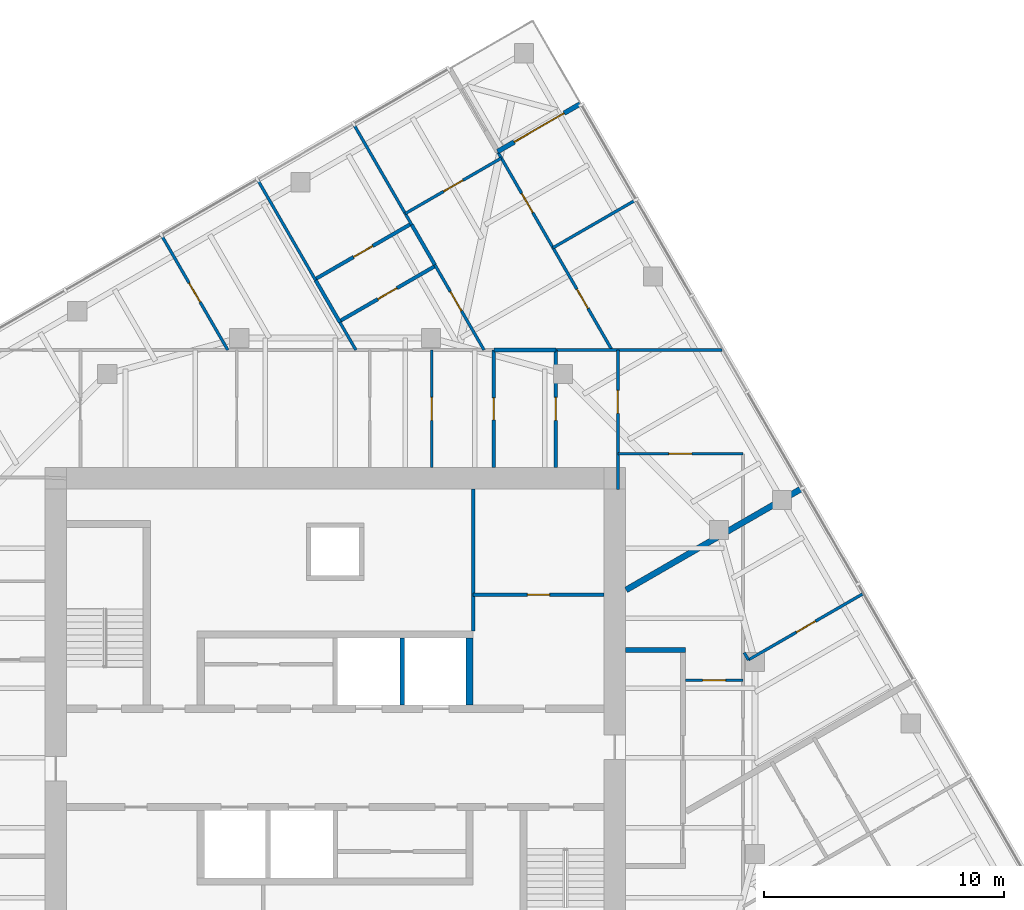
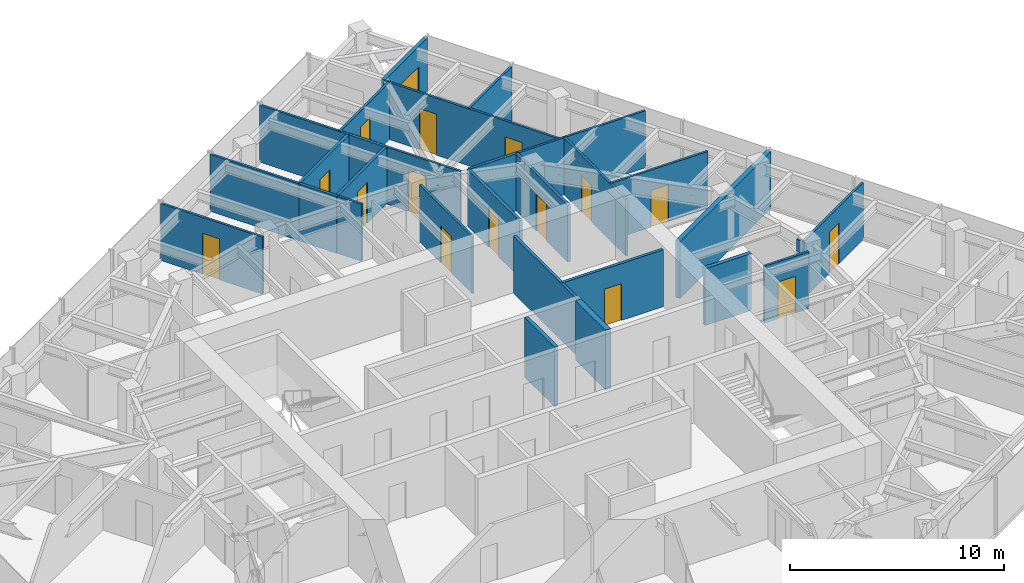
# One storey, part 11 of 13: 29 walls, 16 doors, 16 openings.
"""IFC4 building model written with IfcOpenShell, lengths in metres."""

from ifc_helpers import new_model, si_unit, direction, frame, frame_2d, origin, place, context, subcontext, project, spatial, rectangle, extrude, material, layer, layer_set, type_object, element, fill, save


model = new_model("IFC4")

# Units and contexts
model_context = context("Model", 3, precision=1e-05, world=origin(), true_north=direction((0.0, 1.0)))
body_context = subcontext(model_context, "Body", "Model", "MODEL_VIEW")
ifc_project = project(units=[si_unit("LENGTHUNIT", "METRE"), si_unit("AREAUNIT", "SQUARE_METRE"), si_unit("VOLUMEUNIT", "CUBIC_METRE"), si_unit("PLANEANGLEUNIT", "RADIAN"), si_unit("MASSUNIT", "GRAM", prefix="KILO")], contexts=[model_context])

# Site, building, storey
site_placement = place(None, origin())
site = spatial("IfcSite", under=ifc_project, at=site_placement, CompositionType="ELEMENT")
building_placement = place(site_placement, origin())
building = spatial("IfcBuilding", under=site, at=building_placement, Name="Torsade Residences", CompositionType="ELEMENT")
storey_placement = place(building_placement, frame((0.0, 0.0, 215.0)))
storey = spatial("IfcBuildingStorey", under=building, at=storey_placement, Name="L59", CompositionType="ELEMENT", Elevation=215.0)

# Walls
ifc_material_1 = material(Name="Concrete 80 MPa", Category="concrete")
ifc_layer_1 = layer(ifc_material_1, 0.300048828125)
ifc_layer_set_1 = layer_set([ifc_layer_1], Name="Concrete 80 MPa")
wall_type_1 = type_object("IfcWallType", Name="CORE INTERNAL WALL 300", PredefinedType="SHEAR", material=ifc_layer_set_1)
wall_1_placement = place(storey_placement, frame((45.60009765625, 32.199951171875, 0.0), z_axis=(0.0, 0.0, 1.0), x_axis=(0.0, 1.0, 0.0)))
element("IfcWall", 1, at=wall_1_placement, inside=storey, type_object=wall_type_1, Name="Core wall DN4 L59", PredefinedType="SHEAR", context=body_context, shape_type="SweptSolid", body=[
    extrude(rectangle(XDim=2.800048828125, YDim=0.300048828125, at=frame_2d((1.39990234375, 0.0))), origin(), (0.0, 0.0, 1.0), 3.39990234375),
])
ifc_material_2 = material(Name="Plasterboard on steel stud", Category="steel")
ifc_layer_2 = layer(ifc_material_2, 0.199951171875)
ifc_layer_set_2 = layer_set([ifc_layer_2], Name="Plasterboard on steel stud")
wall_type_2 = type_object("IfcWallType", Name="CORRIDOR WALL 200", PredefinedType="PARTITIONING", material=ifc_layer_set_2)
wall_2_placement = place(storey_placement, frame((52.10009765625, 34.5, 0.0), z_axis=(0.0, 0.0, 1.0), x_axis=(1.0, 0.0, 0.0)))
element("IfcWall", 2, at=wall_2_placement, inside=storey, type_object=wall_type_2, Name="Corridor wall L59", PredefinedType="PARTITIONING", context=body_context, shape_type="SweptSolid", body=[
    extrude(rectangle(XDim=2.5, YDim=0.199951171875, at=frame_2d((1.25, 0.0))), origin(), (0.0, 0.0, 1.0), 3.25),
])
ifc_material_3 = material(Name="Reinforced blockwork", Category="masonry")
ifc_layer_3 = layer(ifc_material_3, 0.199951171875)
ifc_layer_set_3 = layer_set([ifc_layer_3], Name="Reinforced blockwork")
wall_type_3 = type_object("IfcWallType", Name="LIFT SHAFT DIVIDING WALL 200", PredefinedType="SOLIDWALL", material=ifc_layer_set_3)
wall_3_placement = place(storey_placement, frame((42.800048828125, 32.199951171875, 0.0), z_axis=(0.0, 0.0, 1.0), x_axis=(0.0, 1.0, 0.0)))
element("IfcWall", 3, at=wall_3_placement, inside=storey, type_object=wall_type_3, Name="Core wall DN3 L59", PredefinedType="SOLIDWALL", context=body_context, shape_type="SweptSolid", body=[
    extrude(rectangle(XDim=2.800048828125, YDim=0.199951171875, at=frame_2d((1.39990234375, 0.0))), origin(), (0.0, 0.0, 1.0), 3.39990234375),
])

# Wall, opening, door
ifc_material_4 = material(Name="Plasterboard on steel stud", Category="steel")
ifc_layer_4 = layer(ifc_material_4, 0.1201171875)
ifc_layer_set_4 = layer_set([ifc_layer_4], Name="Plasterboard on steel stud")
wall_type_4 = type_object("IfcWallType", Name="PARTITION 120", PredefinedType="PARTITIONING", material=ifc_layer_set_4)
wall_4_placement = place(storey_placement, frame((54.60009765625, 33.237060546875, 0.0), z_axis=(0.0, 0.0, 1.0), x_axis=(1.0, 0.0, 0.0)))
wall_4 = element("IfcWall", 4, at=wall_4_placement, inside=storey, type_object=wall_type_4, Name="Partition L59", PredefinedType="PARTITIONING", context=body_context, shape_type="SweptSolid", body=[
    extrude(rectangle(XDim=2.39990234375, YDim=0.1201171875, at=frame_2d((1.199951171875, 0.0))), origin(), (0.0, 0.0, 1.0), 3.25),
])
opening_1_placement = place(wall_4_placement, frame((0.719970703125, 0.0, 0.0)))
opening_1 = element("IfcOpeningElement", 5, at=opening_1_placement, cuts=wall_4, Name="Opening D05", PredefinedType="OPENING", context=body_context, shape_type="SweptSolid", body=[
    extrude(rectangle(XDim=0.9599609375, YDim=2.10009765625, at=frame_2d((0.47998046875, 1.050048828125))), frame((0.0, 0.070068359375, 0.0), z_axis=(0.0, -1.0, 0.0), x_axis=(1.0, 0.0, 0.0)), (0.0, 0.0, 1.0), 0.14013671875),
])
ifc_material_5 = material(Name="Hollow-core timber door in a steel cavity frame", Category="steel")
door_type_1 = type_object("IfcDoorType", Name="BATHROOM CAVITY SLIDING DOOR 960", OperationType="SLIDING_TO_LEFT", PredefinedType="DOOR", material=ifc_material_5)
door_1_placement = place(opening_1_placement, origin())
door_1 = element("IfcDoor", 6, at=door_1_placement, inside=storey, type_object=door_type_1, Name="Door Kitchen and dining to Bathroom", OperationType="SLIDING_TO_LEFT", OverallHeight=2.10009765625, OverallWidth=0.9599609375, PredefinedType="DOOR", context=body_context, shape_type="SweptSolid", body=[
    extrude(rectangle(XDim=0.9599609375, YDim=2.10009765625, at=frame_2d((0.47998046875, 1.050048828125))), frame((0.0, 0.02490234375, 0.0), z_axis=(0.0, -1.0, 0.0), x_axis=(1.0, 0.0, 0.0)), (0.0, 0.0, 1.0), 0.050048828125),
])
fill(opening_1, door_1)

# Wall
wall_5_placement = place(storey_placement, frame((57.050048828125, 34.387939453125, 0.0), z_axis=(0.0, 0.0, 1.0), x_axis=(0.49996389635, -0.866046247233, 0.0)))
element("IfcWall", 7, at=wall_5_placement, inside=storey, type_object=wall_type_4, Name="Partition L59", PredefinedType="PARTITIONING", context=body_context, shape_type="SweptSolid", body=[
    extrude(rectangle(XDim=0.35009765625, YDim=0.1201171875, at=frame_2d((0.175048828125, 0.0))), origin(), (0.0, 0.0, 1.0), 3.25),
])

# Wall, opening, door
wall_6_placement = place(storey_placement, frame((57.22509765625, 34.084716796875, 0.0), z_axis=(0.0, 0.0, 1.0), x_axis=(0.866019274569, 0.500010615962, 0.0)))
wall_6 = element("IfcWall", 8, at=wall_6_placement, inside=storey, type_object=wall_type_4, Name="Partition L59", PredefinedType="PARTITIONING", context=body_context, shape_type="SweptSolid", body=[
    extrude(rectangle(XDim=5.50048828125, YDim=0.1201171875, at=frame_2d((2.750244140625, 0.0))), origin(), (0.0, 0.0, 1.0), 3.25),
])
opening_2_placement = place(wall_6_placement, frame((2.31005859375, 0.0, 0.0)))
opening_2 = element("IfcOpeningElement", 9, at=opening_2_placement, cuts=wall_6, Name="Opening D02", PredefinedType="OPENING", context=body_context, shape_type="SweptSolid", body=[
    extrude(rectangle(XDim=0.919921875, YDim=2.340087890625, at=frame_2d((0.4599609375, 1.169921875))), frame((0.0, 0.070068359375, 0.0), z_axis=(0.0, -1.0, 0.0), x_axis=(1.0, 0.0, 0.0)), (0.0, 0.0, 1.0), 0.14013671875),
])
ifc_material_6 = material(Name="Hollow-core timber door", Category="wood")
door_type_2 = type_object("IfcDoorType", Name="INTERNAL DOOR 920x2340", OperationType="NOTDEFINED", PredefinedType="DOOR", material=ifc_material_6)
door_2_placement = place(opening_2_placement, origin())
door_2 = element("IfcDoor", 10, at=door_2_placement, inside=storey, type_object=door_type_2, Name="Door Living room to Bedroom 1", OperationType="SINGLE_SWING_LEFT", OverallHeight=2.340087890625, OverallWidth=0.919921875, PredefinedType="DOOR", context=body_context, shape_type="SweptSolid", body=[
    extrude(rectangle(XDim=0.919921875, YDim=2.340087890625, at=frame_2d((0.4599609375, 1.169921875))), frame((0.0, 0.02490234375, 0.0), z_axis=(0.0, -1.0, 0.0), x_axis=(1.0, 0.0, 0.0)), (0.0, 0.0, 1.0), 0.050048828125),
])
fill(opening_2, door_2)

wall_7_placement = place(storey_placement, frame((51.78173828125, 42.67578125, 0.0), z_axis=(0.0, 0.0, 1.0), x_axis=(1.0, 0.0, 0.0)))
wall_7 = element("IfcWall", 11, at=wall_7_placement, inside=storey, type_object=wall_type_4, Name="Partition L59", PredefinedType="PARTITIONING", context=body_context, shape_type="SweptSolid", body=[
    extrude(rectangle(XDim=5.21826171875, YDim=0.1201171875, at=frame_2d((2.609130859375, 0.0))), origin(), (0.0, 0.0, 1.0), 3.25),
])
opening_3_placement = place(wall_7_placement, frame((2.129150390625, 0.0, 0.0)))
opening_3 = element("IfcOpeningElement", 12, at=opening_3_placement, cuts=wall_7, Name="Opening D05", PredefinedType="OPENING", context=body_context, shape_type="SweptSolid", body=[
    extrude(rectangle(XDim=0.9599609375, YDim=2.10009765625, at=frame_2d((0.47998046875, 1.050048828125))), frame((0.0, 0.070068359375, 0.0), z_axis=(0.0, -1.0, 0.0), x_axis=(1.0, 0.0, 0.0)), (0.0, 0.0, 1.0), 0.14013671875),
])
door_3_placement = place(opening_3_placement, origin())
door_3 = element("IfcDoor", 13, at=door_3_placement, inside=storey, type_object=door_type_1, Name="Door Dressing room to Bathroom", OperationType="SLIDING_TO_LEFT", OverallHeight=2.10009765625, OverallWidth=0.9599609375, PredefinedType="DOOR", context=body_context, shape_type="SweptSolid", body=[
    extrude(rectangle(XDim=0.9599609375, YDim=2.10009765625, at=frame_2d((0.47998046875, 1.050048828125))), frame((0.0, 0.02490234375, 0.0), z_axis=(0.0, -1.0, 0.0), x_axis=(1.0, 0.0, 0.0)), (0.0, 0.0, 1.0), 0.050048828125),
])
fill(opening_3, door_3)

wall_8_placement = place(storey_placement, frame((51.78173828125, 41.179931640625, 0.0), z_axis=(0.0, 0.0, 1.0), x_axis=(0.0, 1.0, 0.0)))
wall_8 = element("IfcWall", 14, at=wall_8_placement, inside=storey, type_object=wall_type_4, Name="Partition L59", PredefinedType="PARTITIONING", context=body_context, shape_type="SweptSolid", body=[
    extrude(rectangle(XDim=5.820068359375, YDim=0.1201171875, at=frame_2d((2.91015625, 0.0))), origin(), (0.0, 0.0, 1.0), 3.25),
])
opening_4_placement = place(wall_8_placement, frame((3.177978515625, 0.0, 0.0)))
opening_4 = element("IfcOpeningElement", 15, at=opening_4_placement, cuts=wall_8, Name="Opening D05", PredefinedType="OPENING", context=body_context, shape_type="SweptSolid", body=[
    extrude(rectangle(XDim=0.9599609375, YDim=2.10009765625, at=frame_2d((0.47998046875, 1.050048828125))), frame((0.0, 0.070068359375, 0.0), z_axis=(0.0, -1.0, 0.0), x_axis=(1.0, 0.0, 0.0)), (0.0, 0.0, 1.0), 0.14013671875),
])
door_4_placement = place(opening_4_placement, origin())
door_4 = element("IfcDoor", 16, at=door_4_placement, inside=storey, type_object=door_type_1, Name="Door WC to Dressing room", OperationType="SLIDING_TO_LEFT", OverallHeight=2.10009765625, OverallWidth=0.9599609375, PredefinedType="DOOR", context=body_context, shape_type="SweptSolid", body=[
    extrude(rectangle(XDim=0.9599609375, YDim=2.10009765625, at=frame_2d((0.47998046875, 1.050048828125))), frame((0.0, 0.02490234375, 0.0), z_axis=(0.0, -1.0, 0.0), x_axis=(1.0, 0.0, 0.0)), (0.0, 0.0, 1.0), 0.050048828125),
])
fill(opening_4, door_4)

# Wall
wall_9_placement = place(storey_placement, frame((49.197021484375, 47.0, 0.0), z_axis=(0.0, 0.0, 1.0), x_axis=(1.0, 0.0, 0.0)))
element("IfcWall", 17, at=wall_9_placement, inside=storey, type_object=wall_type_4, Name="Partition L59", PredefinedType="PARTITIONING", context=body_context, shape_type="SweptSolid", body=[
    extrude(rectangle(XDim=6.922607421875, YDim=0.1201171875, at=frame_2d((3.46142578125, 0.0))), origin(), (0.0, 0.0, 1.0), 3.25),
])

# Wall, opening, door
wall_10_placement = place(storey_placement, frame((44.027587890625, 47.0, 0.0), z_axis=(0.0, 0.0, 1.0), x_axis=(0.0, -1.0, 0.0)))
wall_10 = element("IfcWall", 18, at=wall_10_placement, inside=storey, type_object=wall_type_4, Name="Partition L59", PredefinedType="PARTITIONING", context=body_context, shape_type="SweptSolid", body=[
    extrude(rectangle(XDim=4.89990234375, YDim=0.1201171875, at=frame_2d((2.449951171875, 0.0))), origin(), (0.0, 0.0, 1.0), 3.25),
])
opening_5_placement = place(wall_10_placement, frame((1.969970703125, 0.0, 0.0)))
opening_5 = element("IfcOpeningElement", 19, at=opening_5_placement, cuts=wall_10, Name="Opening D05", PredefinedType="OPENING", context=body_context, shape_type="SweptSolid", body=[
    extrude(rectangle(XDim=0.9599609375, YDim=2.10009765625, at=frame_2d((0.47998046875, 1.050048828125))), frame((0.0, 0.070068359375, 0.0), z_axis=(0.0, -1.0, 0.0), x_axis=(1.0, 0.0, 0.0)), (0.0, 0.0, 1.0), 0.14013671875),
])
door_5_placement = place(opening_5_placement, origin())
door_5 = element("IfcDoor", 20, at=door_5_placement, inside=storey, type_object=door_type_1, Name="Door Ensuite to Dressing room 2", OperationType="SLIDING_TO_LEFT", OverallHeight=2.10009765625, OverallWidth=0.9599609375, PredefinedType="DOOR", context=body_context, shape_type="SweptSolid", body=[
    extrude(rectangle(XDim=0.9599609375, YDim=2.10009765625, at=frame_2d((0.47998046875, 1.050048828125))), frame((0.0, 0.02490234375, 0.0), z_axis=(0.0, -1.0, 0.0), x_axis=(1.0, 0.0, 0.0)), (0.0, 0.0, 1.0), 0.050048828125),
])
fill(opening_5, door_5)

# Wall
wall_11_placement = place(storey_placement, frame((43.193115234375, 52.219482421875, 0.0), z_axis=(0.0, 0.0, 1.0), x_axis=(-0.50000634465, 0.866021740668, 0.0)))
element("IfcWall", 21, at=wall_11_placement, inside=storey, type_object=wall_type_4, Name="Partition L59", PredefinedType="PARTITIONING", context=body_context, shape_type="SweptSolid", body=[
    extrude(rectangle(XDim=4.81396484375, YDim=0.1201171875, at=frame_2d((2.406982421875, 0.0))), origin(), (0.0, 0.0, 1.0), 3.25),
])

# Wall, openings, doors
wall_12_placement = place(storey_placement, frame((46.79150390625, 55.23681640625, 0.0), z_axis=(0.0, 0.0, 1.0), x_axis=(0.49923620881, -0.866465929978, 0.0)))
wall_12 = element("IfcWall", 22, at=wall_12_placement, inside=storey, type_object=wall_type_4, Name="Partition L59", PredefinedType="PARTITIONING", context=body_context, shape_type="SweptSolid", body=[
    extrude(rectangle(XDim=9.506103515625, YDim=0.1201171875, at=frame_2d((4.7529296875, 0.0))), origin(), (0.0, 0.0, 1.0), 3.25),
])
opening_6_placement = place(wall_12_placement, frame((6.585693359375, 0.0, 0.0)))
opening_6 = element("IfcOpeningElement", 23, at=opening_6_placement, cuts=wall_12, Name="Opening D02", PredefinedType="OPENING", context=body_context, shape_type="SweptSolid", body=[
    extrude(rectangle(XDim=0.919921875, YDim=2.340087890625, at=frame_2d((0.4599609375, 1.169921875))), frame((0.0, 0.070068359375, 0.0), z_axis=(0.0, -1.0, 0.0), x_axis=(1.0, 0.0, 0.0)), (0.0, 0.0, 1.0), 0.14013671875),
])
opening_7_placement = place(wall_12_placement, frame((1.968994140625, 0.0, 0.0)))
opening_7 = element("IfcOpeningElement", 24, at=opening_7_placement, cuts=wall_12, Name="Opening D02", PredefinedType="OPENING", context=body_context, shape_type="SweptSolid", body=[
    extrude(rectangle(XDim=0.919921875, YDim=2.340087890625, at=frame_2d((0.4599609375, 1.169921875))), frame((0.0, 0.070068359375, 0.0), z_axis=(0.0, -1.0, 0.0), x_axis=(1.0, 0.0, 0.0)), (0.0, 0.0, 1.0), 0.14013671875),
])
door_6_placement = place(opening_6_placement, origin())
door_6 = element("IfcDoor", 25, at=door_6_placement, inside=storey, type_object=door_type_2, Name="Door Walk-in robe to Media room", OperationType="SINGLE_SWING_LEFT", OverallHeight=2.340087890625, OverallWidth=0.919921875, PredefinedType="DOOR", context=body_context, shape_type="SweptSolid", body=[
    extrude(rectangle(XDim=0.919921875, YDim=2.340087890625, at=frame_2d((0.4599609375, 1.169921875))), frame((0.0, 0.02490234375, 0.0), z_axis=(0.0, -1.0, 0.0), x_axis=(1.0, 0.0, 0.0)), (0.0, 0.0, 1.0), 0.050048828125),
])
fill(opening_6, door_6)
door_7_placement = place(opening_7_placement, origin())
door_7 = element("IfcDoor", 26, at=door_7_placement, inside=storey, type_object=door_type_2, Name="Door Walk-in robe to Family room 2", OperationType="SINGLE_SWING_RIGHT", OverallHeight=2.340087890625, OverallWidth=0.919921875, PredefinedType="DOOR", context=body_context, shape_type="SweptSolid", body=[
    extrude(rectangle(XDim=0.919921875, YDim=2.340087890625, at=frame_2d((0.4599609375, 1.169921875))), frame((0.0, 0.02490234375, 0.0), z_axis=(0.0, -1.0, 0.0), x_axis=(1.0, 0.0, 0.0)), (0.0, 0.0, 1.0), 0.050048828125),
])
fill(opening_7, door_7)

# Wall, opening, door
wall_13_placement = place(storey_placement, frame((46.20654296875, 47.0, 0.0), z_axis=(0.0, 0.0, 1.0), x_axis=(-0.499986975689, 0.866032923243, 0.0)))
wall_13 = element("IfcWall", 27, at=wall_13_placement, inside=storey, type_object=wall_type_4, Name="Partition L59", PredefinedType="PARTITIONING", context=body_context, shape_type="SweptSolid", body=[
    extrude(rectangle(XDim=4.10107421875, YDim=0.1201171875, at=frame_2d((2.050537109375, 0.0))), origin(), (0.0, 0.0, 1.0), 3.25),
])
opening_8_placement = place(wall_13_placement, frame((1.890625, 0.0, 0.0)))
opening_8 = element("IfcOpeningElement", 28, at=opening_8_placement, cuts=wall_13, Name="Opening D02", PredefinedType="OPENING", context=body_context, shape_type="SweptSolid", body=[
    extrude(rectangle(XDim=0.919921875, YDim=2.340087890625, at=frame_2d((0.4599609375, 1.169921875))), frame((0.0, 0.070068359375, 0.0), z_axis=(0.0, -1.0, 0.0), x_axis=(1.0, 0.0, 0.0)), (0.0, 0.0, 1.0), 0.14013671875),
])
door_8_placement = place(opening_8_placement, origin())
door_8 = element("IfcDoor", 29, at=door_8_placement, inside=storey, type_object=door_type_2, Name="Door Walk-in robe 2 to Walk-in robe", OperationType="SINGLE_SWING_RIGHT", OverallHeight=2.340087890625, OverallWidth=0.919921875, PredefinedType="DOOR", context=body_context, shape_type="SweptSolid", body=[
    extrude(rectangle(XDim=0.919921875, YDim=2.340087890625, at=frame_2d((0.4599609375, 1.169921875))), frame((0.0, 0.02490234375, 0.0), z_axis=(0.0, -1.0, 0.0), x_axis=(1.0, 0.0, 0.0)), (0.0, 0.0, 1.0), 0.050048828125),
])
fill(opening_8, door_8)

wall_14_placement = place(storey_placement, frame((42.92236328125, 52.688232421875, 0.0), z_axis=(0.0, 0.0, 1.0), x_axis=(0.866025598446, 0.499999662836, 0.0)))
wall_14 = element("IfcWall", 30, at=wall_14_placement, inside=storey, type_object=wall_type_4, Name="Partition L59", PredefinedType="PARTITIONING", context=body_context, shape_type="SweptSolid", body=[
    extrude(rectangle(XDim=4.625, YDim=0.1201171875, at=frame_2d((2.3125, 0.0))), origin(), (0.0, 0.0, 1.0), 3.25),
])
opening_9_placement = place(wall_14_placement, frame((1.8525390625, 0.0, 0.0)))
opening_9 = element("IfcOpeningElement", 31, at=opening_9_placement, cuts=wall_14, Name="Opening D02", PredefinedType="OPENING", context=body_context, shape_type="SweptSolid", body=[
    extrude(rectangle(XDim=0.919921875, YDim=2.340087890625, at=frame_2d((0.4599609375, 1.169921875))), frame((0.0, 0.070068359375, 0.0), z_axis=(0.0, -1.0, 0.0), x_axis=(1.0, 0.0, 0.0)), (0.0, 0.0, 1.0), 0.14013671875),
])
door_9_placement = place(opening_9_placement, origin())
door_9 = element("IfcDoor", 32, at=door_9_placement, inside=storey, type_object=door_type_2, Name="Door Walk-in robe to Study 2", OperationType="SINGLE_SWING_RIGHT", OverallHeight=2.340087890625, OverallWidth=0.919921875, PredefinedType="DOOR", context=body_context, shape_type="SweptSolid", body=[
    extrude(rectangle(XDim=0.919921875, YDim=2.340087890625, at=frame_2d((0.4599609375, 1.169921875))), frame((0.0, 0.02490234375, 0.0), z_axis=(0.0, -1.0, 0.0), x_axis=(1.0, 0.0, 0.0)), (0.0, 0.0, 1.0), 0.050048828125),
])
fill(opening_9, door_9)

wall_15_placement = place(storey_placement, frame((35.525634765625, 47.0, 0.0), z_axis=(0.0, 0.0, 1.0), x_axis=(-0.500010615962, 0.866019274569, 0.0)))
wall_15 = element("IfcWall", 33, at=wall_15_placement, inside=storey, type_object=wall_type_4, Name="Partition L59", PredefinedType="PARTITIONING", context=body_context, shape_type="SweptSolid", body=[
    extrude(rectangle(XDim=5.50048828125, YDim=0.1201171875, at=frame_2d((2.750244140625, 0.0))), origin(), (0.0, 0.0, 1.0), 3.25),
])
opening_10_placement = place(wall_15_placement, frame((2.31005859375, 0.0, 0.0)))
opening_10 = element("IfcOpeningElement", 34, at=opening_10_placement, cuts=wall_15, Name="Opening D02", PredefinedType="OPENING", context=body_context, shape_type="SweptSolid", body=[
    extrude(rectangle(XDim=0.919921875, YDim=2.340087890625, at=frame_2d((0.4599609375, 1.169921875))), frame((0.0, 0.070068359375, 0.0), z_axis=(0.0, -1.0, 0.0), x_axis=(1.0, 0.0, 0.0)), (0.0, 0.0, 1.0), 0.14013671875),
])
door_10_placement = place(opening_10_placement, origin())
door_10 = element("IfcDoor", 35, at=door_10_placement, inside=storey, type_object=door_type_2, Name="Door Study to Bedroom 2", OperationType="SINGLE_SWING_LEFT", OverallHeight=2.340087890625, OverallWidth=0.919921875, PredefinedType="DOOR", context=body_context, shape_type="SweptSolid", body=[
    extrude(rectangle(XDim=0.919921875, YDim=2.340087890625, at=frame_2d((0.4599609375, 1.169921875))), frame((0.0, 0.02490234375, 0.0), z_axis=(0.0, -1.0, 0.0), x_axis=(1.0, 0.0, 0.0)), (0.0, 0.0, 1.0), 0.050048828125),
])
fill(opening_10, door_10)

# Walls
wall_16_placement = place(storey_placement, frame((36.78076171875, 54.075927734375, 0.0), z_axis=(0.0, 0.0, 1.0), x_axis=(0.50000634465, -0.866021740668, 0.0)))
element("IfcWall", 36, at=wall_16_placement, inside=storey, type_object=wall_type_4, Name="Partition L59", PredefinedType="PARTITIONING", context=body_context, shape_type="SweptSolid", body=[
    extrude(rectangle(XDim=4.81396484375, YDim=0.1201171875, at=frame_2d((2.406982421875, 0.0))), origin(), (0.0, 0.0, 1.0), 3.25),
])
wall_17_placement = place(storey_placement, frame((40.200439453125, 48.152587890625, 0.0), z_axis=(0.0, 0.0, 1.0), x_axis=(0.500045314201, -0.865999240038, 0.0)))
element("IfcWall", 37, at=wall_17_placement, inside=storey, type_object=wall_type_4, Name="Partition L59", PredefinedType="PARTITIONING", context=body_context, shape_type="SweptSolid", body=[
    extrude(rectangle(XDim=1.3310546875, YDim=0.1201171875, at=frame_2d((0.66552734375, 0.0))), origin(), (0.0, 0.0, 1.0), 3.25),
])
wall_18_placement = place(storey_placement, frame((49.076904296875, 51.26171875, 0.0), z_axis=(0.0, 0.0, 1.0), x_axis=(0.865992964694, 0.500056181943, 0.0)))
element("IfcWall", 38, at=wall_18_placement, inside=storey, type_object=wall_type_4, Name="Partition L59", PredefinedType="PARTITIONING", context=body_context, shape_type="SweptSolid", body=[
    extrude(rectangle(XDim=3.96826171875, YDim=0.1201171875, at=frame_2d((1.984130859375, 0.0))), origin(), (0.0, 0.0, 1.0), 3.25),
])
ifc_material_7 = material(Name="Masonry-lined stud party wall", Category="masonry")
ifc_layer_5 = layer(ifc_material_7, 0.25)
ifc_layer_set_5 = layer_set([ifc_layer_5], Name="Masonry-lined stud party wall")
wall_type_5 = type_object("IfcWallType", Name="PARTY WALL 250", PredefinedType="PARTITIONING", material=ifc_layer_set_5)
wall_19_placement = place(storey_placement, frame((59.485595703125, 41.25, 0.0), z_axis=(0.0, 0.0, 1.0), x_axis=(-0.866020489494, -0.500008511703, 0.0)))
element("IfcWall", 39, at=wall_19_placement, inside=storey, type_object=wall_type_5, Name="Party wall L59", PredefinedType="PARTITIONING", context=body_context, shape_type="SweptSolid", body=[
    extrude(rectangle(XDim=8.495849609375, YDim=0.25, at=frame_2d((4.248046875, 0.0))), origin(), (0.0, 0.0, 1.0), 3.25),
])
ifc_material_8 = material(Name="Reinforced blockwork", Category="masonry")
ifc_layer_6 = layer(ifc_material_8, 0.14990234375)
ifc_layer_set_6 = layer_set([ifc_layer_6], Name="Reinforced blockwork")
wall_type_6 = type_object("IfcWallType", Name="SERVICE ROOM WALL 150", PredefinedType="SOLIDWALL", material=ifc_layer_set_6)
wall_20_placement = place(storey_placement, frame((45.75, 41.199951171875, 0.0), z_axis=(0.0, 0.0, 1.0), x_axis=(0.0, -1.0, 0.0)))
element("IfcWall", 40, at=wall_20_placement, inside=storey, type_object=wall_type_6, Name="Service room wall L59", PredefinedType="SOLIDWALL", context=body_context, shape_type="SweptSolid", body=[
    extrude(rectangle(XDim=5.89990234375, YDim=0.14990234375, at=frame_2d((2.949951171875, 0.0))), origin(), (0.0, 0.0, 1.0), 3.25),
])

# Wall, opening, door
wall_21_placement = place(storey_placement, frame((45.75, 36.800048828125, 0.0), z_axis=(0.0, 0.0, 1.0), x_axis=(1.0, 0.0, 0.0)))
wall_21 = element("IfcWall", 41, at=wall_21_placement, inside=storey, type_object=wall_type_6, Name="Service room wall L59", PredefinedType="SOLIDWALL", context=body_context, shape_type="SweptSolid", body=[
    extrude(rectangle(XDim=5.449951171875, YDim=0.14990234375, at=frame_2d((2.72509765625, 0.0))), origin(), (0.0, 0.0, 1.0), 3.25),
])
opening_11_placement = place(wall_21_placement, frame((2.264892578125, 0.0, 0.0)))
opening_11 = element("IfcOpeningElement", 42, at=opening_11_placement, cuts=wall_21, Name="Opening D06", PredefinedType="OPENING", context=body_context, shape_type="SweptSolid", body=[
    extrude(rectangle(XDim=0.919921875, YDim=2.10009765625, at=frame_2d((0.4599609375, 1.050048828125))), frame((0.0, 0.0849609375, 0.0), z_axis=(0.0, -1.0, 0.0), x_axis=(1.0, 0.0, 0.0)), (0.0, 0.0, 1.0), 0.169921875),
])
ifc_material_9 = material(Name="Steel-framed fire door", Category="steel")
door_type_3 = type_object("IfcDoorType", Name="FIRE DOOR 920", OperationType="NOTDEFINED", PredefinedType="DOOR", material=ifc_material_9)
door_11_placement = place(opening_11_placement, origin())
door_11 = element("IfcDoor", 43, at=door_11_placement, inside=storey, type_object=door_type_3, Name="Door Refuse room to Bulky waste store", OperationType="SINGLE_SWING_LEFT", OverallHeight=2.10009765625, OverallWidth=0.919921875, PredefinedType="DOOR", context=body_context, shape_type="SweptSolid", body=[
    extrude(rectangle(XDim=0.919921875, YDim=2.10009765625, at=frame_2d((0.4599609375, 1.050048828125))), frame((0.0, 0.02490234375, 0.0), z_axis=(0.0, -1.0, 0.0), x_axis=(1.0, 0.0, 0.0)), (0.0, 0.0, 1.0), 0.050048828125),
])
fill(opening_11, door_11)

wall_22_placement = place(storey_placement, frame((46.6123046875, 47.0, 0.0), z_axis=(0.0, 0.0, 1.0), x_axis=(0.0, -1.0, 0.0)))
wall_22 = element("IfcWall", 44, at=wall_22_placement, inside=storey, type_object=wall_type_6, Name="Service room wall L59", PredefinedType="SOLIDWALL", context=body_context, shape_type="SweptSolid", body=[
    extrude(rectangle(XDim=4.89990234375, YDim=0.14990234375, at=frame_2d((2.449951171875, 0.0))), origin(), (0.0, 0.0, 1.0), 3.25),
])
opening_12_placement = place(wall_22_placement, frame((1.989990234375, 0.0, 0.0)))
opening_12 = element("IfcOpeningElement", 45, at=opening_12_placement, cuts=wall_22, Name="Opening D02", PredefinedType="OPENING", context=body_context, shape_type="SweptSolid", body=[
    extrude(rectangle(XDim=0.919921875, YDim=2.340087890625, at=frame_2d((0.4599609375, 1.169921875))), frame((0.0, 0.0849609375, 0.0), z_axis=(0.0, -1.0, 0.0), x_axis=(1.0, 0.0, 0.0)), (0.0, 0.0, 1.0), 0.169921875),
])
door_12_placement = place(opening_12_placement, origin())
door_12 = element("IfcDoor", 46, at=door_12_placement, inside=storey, type_object=door_type_2, Name="Door Dressing room 2 to Linen store", OperationType="SINGLE_SWING_LEFT", OverallHeight=2.340087890625, OverallWidth=0.919921875, PredefinedType="DOOR", context=body_context, shape_type="SweptSolid", body=[
    extrude(rectangle(XDim=0.919921875, YDim=2.340087890625, at=frame_2d((0.4599609375, 1.169921875))), frame((0.0, 0.02490234375, 0.0), z_axis=(0.0, -1.0, 0.0), x_axis=(1.0, 0.0, 0.0)), (0.0, 0.0, 1.0), 0.050048828125),
])
fill(opening_12, door_12)

wall_23_placement = place(storey_placement, frame((49.197021484375, 42.10009765625, 0.0), z_axis=(0.0, 0.0, 1.0), x_axis=(0.0, 1.0, 0.0)))
wall_23 = element("IfcWall", 47, at=wall_23_placement, inside=storey, type_object=wall_type_6, Name="Service room wall L59", PredefinedType="SOLIDWALL", context=body_context, shape_type="SweptSolid", body=[
    extrude(rectangle(XDim=4.89990234375, YDim=0.14990234375, at=frame_2d((2.449951171875, 0.0))), origin(), (0.0, 0.0, 1.0), 3.25),
])
opening_13_placement = place(wall_23_placement, frame((1.969970703125, 0.0, 0.0)))
opening_13 = element("IfcOpeningElement", 48, at=opening_13_placement, cuts=wall_23, Name="Opening D05", PredefinedType="OPENING", context=body_context, shape_type="SweptSolid", body=[
    extrude(rectangle(XDim=0.9599609375, YDim=2.10009765625, at=frame_2d((0.47998046875, 1.050048828125))), frame((0.0, 0.0849609375, 0.0), z_axis=(0.0, -1.0, 0.0), x_axis=(1.0, 0.0, 0.0)), (0.0, 0.0, 1.0), 0.169921875),
])
door_13_placement = place(opening_13_placement, origin())
door_13 = element("IfcDoor", 49, at=door_13_placement, inside=storey, type_object=door_type_1, Name="Door Linen store to WC", OperationType="SLIDING_TO_LEFT", OverallHeight=2.10009765625, OverallWidth=0.9599609375, PredefinedType="DOOR", context=body_context, shape_type="SweptSolid", body=[
    extrude(rectangle(XDim=0.9599609375, YDim=2.10009765625, at=frame_2d((0.47998046875, 1.050048828125))), frame((0.0, 0.02490234375, 0.0), z_axis=(0.0, -1.0, 0.0), x_axis=(1.0, 0.0, 0.0)), (0.0, 0.0, 1.0), 0.050048828125),
])
fill(opening_13, door_13)

# Walls
wall_24_placement = place(storey_placement, frame((46.6123046875, 47.0, 0.0), z_axis=(0.0, 0.0, 1.0), x_axis=(1.0, 0.0, 0.0)))
element("IfcWall", 50, at=wall_24_placement, inside=storey, type_object=wall_type_6, Name="Service room wall L59", PredefinedType="SOLIDWALL", context=body_context, shape_type="SweptSolid", body=[
    extrude(rectangle(XDim=2.584716796875, YDim=0.14990234375, at=frame_2d((1.29248046875, 0.0))), origin(), (0.0, 0.0, 1.0), 3.25),
])
wall_25_placement = place(storey_placement, frame((44.156005859375, 50.5517578125, 0.0), z_axis=(0.0, 0.0, 1.0), x_axis=(-0.50001143954, 0.866018799062, 0.0)))
element("IfcWall", 51, at=wall_25_placement, inside=storey, type_object=wall_type_6, Name="Service room wall L59", PredefinedType="SOLIDWALL", context=body_context, shape_type="SweptSolid", body=[
    extrude(rectangle(XDim=1.92578125, YDim=0.14990234375, at=frame_2d((0.962890625, 0.0))), origin(), (0.0, 0.0, 1.0), 3.25),
])
wall_26_placement = place(storey_placement, frame((39.187744140625, 49.906982421875, 0.0), z_axis=(0.0, 0.0, 1.0), x_axis=(0.499924156672, -0.866069187523, 0.0)))
element("IfcWall", 52, at=wall_26_placement, inside=storey, type_object=wall_type_6, Name="Service room wall L59", PredefinedType="SOLIDWALL", context=body_context, shape_type="SweptSolid", body=[
    extrude(rectangle(XDim=2.025634765625, YDim=0.14990234375, at=frame_2d((1.0126953125, 0.0))), origin(), (0.0, 0.0, 1.0), 3.25),
])

# Wall, opening, door
wall_27_placement = place(storey_placement, frame((43.16796875, 52.2626953125, 0.0), z_axis=(0.0, 0.0, 1.0), x_axis=(-0.866025598446, -0.499999662836, 0.0)))
wall_27 = element("IfcWall", 53, at=wall_27_placement, inside=storey, type_object=wall_type_6, Name="Service room wall L59", PredefinedType="SOLIDWALL", context=body_context, shape_type="SweptSolid", body=[
    extrude(rectangle(XDim=4.625, YDim=0.14990234375, at=frame_2d((2.3125, 0.0))), origin(), (0.0, 0.0, 1.0), 3.25),
])
opening_14_placement = place(wall_27_placement, frame((1.8525390625, 0.0, 0.0)))
opening_14 = element("IfcOpeningElement", 54, at=opening_14_placement, cuts=wall_27, Name="Opening D02", PredefinedType="OPENING", context=body_context, shape_type="SweptSolid", body=[
    extrude(rectangle(XDim=0.919921875, YDim=2.340087890625, at=frame_2d((0.4599609375, 1.169921875))), frame((0.0, 0.0849609375, 0.0), z_axis=(0.0, -1.0, 0.0), x_axis=(1.0, 0.0, 0.0)), (0.0, 0.0, 1.0), 0.169921875),
])
door_14_placement = place(opening_14_placement, origin())
door_14 = element("IfcDoor", 55, at=door_14_placement, inside=storey, type_object=door_type_2, Name="Door Linen store 2 to Family room", OperationType="SINGLE_SWING_RIGHT", OverallHeight=2.340087890625, OverallWidth=0.919921875, PredefinedType="DOOR", context=body_context, shape_type="SweptSolid", body=[
    extrude(rectangle(XDim=0.919921875, YDim=2.340087890625, at=frame_2d((0.4599609375, 1.169921875))), frame((0.0, 0.02490234375, 0.0), z_axis=(0.0, -1.0, 0.0), x_axis=(1.0, 0.0, 0.0)), (0.0, 0.0, 1.0), 0.050048828125),
])
fill(opening_14, door_14)

wall_28_placement = place(storey_placement, frame((40.175537109375, 48.196044921875, 0.0), z_axis=(0.0, 0.0, 1.0), x_axis=(0.866025598446, 0.499999662836, 0.0)))
wall_28 = element("IfcWall", 56, at=wall_28_placement, inside=storey, type_object=wall_type_6, Name="Service room wall L59", PredefinedType="SOLIDWALL", context=body_context, shape_type="SweptSolid", body=[
    extrude(rectangle(XDim=4.625, YDim=0.14990234375, at=frame_2d((2.3125, 0.0))), origin(), (0.0, 0.0, 1.0), 3.25),
])
opening_15_placement = place(wall_28_placement, frame((1.8525390625, 0.0, 0.0)))
opening_15 = element("IfcOpeningElement", 57, at=opening_15_placement, cuts=wall_28, Name="Opening D02", PredefinedType="OPENING", context=body_context, shape_type="SweptSolid", body=[
    extrude(rectangle(XDim=0.919921875, YDim=2.340087890625, at=frame_2d((0.4599609375, 1.169921875))), frame((0.0, 0.0849609375, 0.0), z_axis=(0.0, -1.0, 0.0), x_axis=(1.0, 0.0, 0.0)), (0.0, 0.0, 1.0), 0.169921875),
])
door_15_placement = place(opening_15_placement, origin())
door_15 = element("IfcDoor", 58, at=door_15_placement, inside=storey, type_object=door_type_2, Name="Door Walk-in robe 2 to Linen store 2", OperationType="SINGLE_SWING_LEFT", OverallHeight=2.340087890625, OverallWidth=0.919921875, PredefinedType="DOOR", context=body_context, shape_type="SweptSolid", body=[
    extrude(rectangle(XDim=0.919921875, YDim=2.340087890625, at=frame_2d((0.4599609375, 1.169921875))), frame((0.0, 0.02490234375, 0.0), z_axis=(0.0, -1.0, 0.0), x_axis=(1.0, 0.0, 0.0)), (0.0, 0.0, 1.0), 0.050048828125),
])
fill(opening_15, door_15)

ifc_material_10 = material(Name="Stone-faced precast concrete 40 MPa panel", Category="masonry")
ifc_layer_7 = layer(ifc_material_10, 0.199951171875)
ifc_layer_set_7 = layer_set([ifc_layer_7], Name="Stone-faced precast concrete 40 MPa panel")
wall_type_7 = type_object("IfcWallType", Name="TERRACE WALL 200", PredefinedType="SOLIDWALL", material=ifc_layer_set_7)
wall_29_placement = place(storey_placement, frame((50.235595703125, 57.271484375, 0.0), z_axis=(0.0, 0.0, 1.0), x_axis=(-0.866026010844, -0.49999894854, 0.0)))
wall_29 = element("IfcWall", 59, at=wall_29_placement, inside=storey, type_object=wall_type_7, Name="Terrace wall L59 5", PredefinedType="SOLIDWALL", context=body_context, shape_type="SweptSolid", body=[
    extrude(rectangle(XDim=4.0, YDim=0.199951171875, at=frame_2d((2.0, 0.0))), origin(), (0.0, 0.0, 1.0), 3.25),
])
opening_16_placement = place(wall_29_placement, frame((0.800048828125, 0.0, 0.0)))
opening_16 = element("IfcOpeningElement", 60, at=opening_16_placement, cuts=wall_29, Name="Opening D10A", PredefinedType="OPENING", context=body_context, shape_type="SweptSolid", body=[
    extrude(rectangle(XDim=2.39990234375, YDim=2.10009765625, at=frame_2d((1.199951171875, 1.050048828125))), frame((0.0, 0.10986328125, 0.0), z_axis=(0.0, -1.0, 0.0), x_axis=(1.0, 0.0, 0.0)), (0.0, 0.0, 1.0), 0.219970703125),
])
ifc_material_11 = material(Name="Aluminium-framed glass door", Category="aluminium")
door_type_4 = type_object("IfcDoorType", Name="TERRACE SLIDING DOOR 2400x2100", OperationType="SLIDING_TO_LEFT", PredefinedType="DOOR", material=ifc_material_11)
door_16_placement = place(opening_16_placement, origin())
door_16 = element("IfcDoor", 61, at=door_16_placement, inside=storey, type_object=door_type_4, Name="Terrace door L59 5", OperationType="SLIDING_TO_LEFT", OverallHeight=2.10009765625, OverallWidth=2.39990234375, PredefinedType="DOOR", context=body_context, shape_type="SweptSolid", body=[
    extrude(rectangle(XDim=2.39990234375, YDim=2.10009765625, at=frame_2d((1.199951171875, 1.050048828125))), frame((0.0, 0.02490234375, 0.0), z_axis=(0.0, -1.0, 0.0), x_axis=(1.0, 0.0, 0.0)), (0.0, 0.0, 1.0), 0.050048828125),
])
fill(opening_16, door_16)

save(model, "model.ifc")
